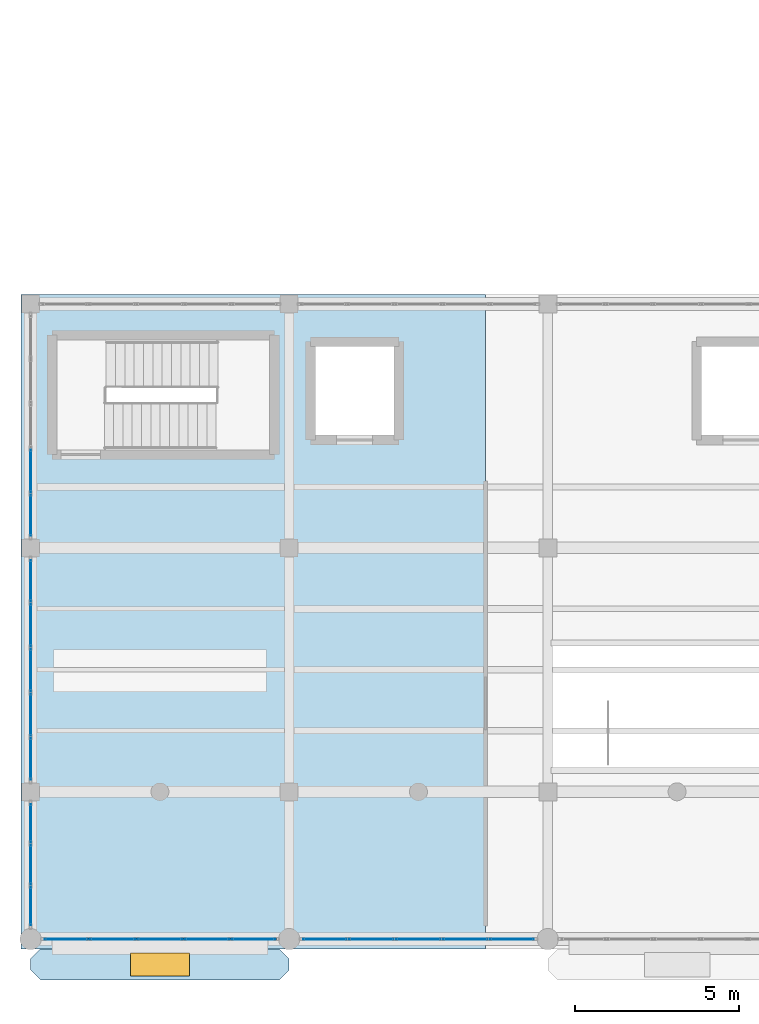
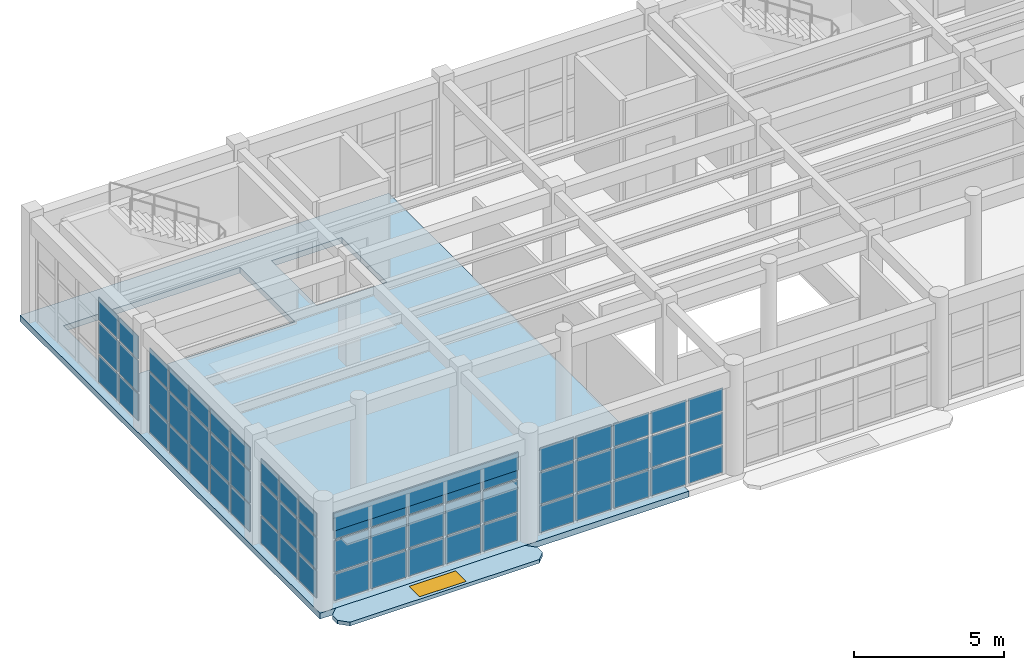
# One storey, part 49 of 85: 61 plates, 2 slabs, 1 window, 1 opening, 5 elements without a shape of their own.
"""IFC4 building model written with IfcOpenShell, lengths in metres."""

from ifc_helpers import new_model, si_unit, direction, frame, origin, origin_2d, place, context, subcontext, project, spatial, polyline, rectangle, outline, extrude, material, layer, layer_set, type_object, element, fill, aggregate, save


model = new_model("IFC4")

# Units and contexts
model_context = context("Model", 3, precision=1e-05, world=origin(), true_north=direction((0.0, 1.0)))
body_context = subcontext(model_context, "Body", "Model", "MODEL_VIEW")
ifc_project = project(units=[si_unit("LENGTHUNIT", "METRE"), si_unit("AREAUNIT", "SQUARE_METRE"), si_unit("VOLUMEUNIT", "CUBIC_METRE"), si_unit("PLANEANGLEUNIT", "RADIAN"), si_unit("MASSUNIT", "GRAM", prefix="KILO")], contexts=[model_context])

# Site, building, storey
site_placement = place(None, origin())
site = spatial("IfcSite", under=ifc_project, at=site_placement, CompositionType="ELEMENT")
building_placement = place(site_placement, origin())
building = spatial("IfcBuilding", under=site, at=building_placement, Name="Candilejo Ridge Gondola Terminal", CompositionType="ELEMENT")
storey_placement = place(building_placement, frame((0.0, 0.0, 4.5)))
storey = spatial("IfcBuildingStorey", under=building, at=storey_placement, Name="L01", CompositionType="ELEMENT", Elevation=4.5)

# Curtain wall, plates
ifc_material_1 = material(Name="Anodised aluminium AA 6063-T6", Category="aluminium")
ifc_layer_1 = layer(ifc_material_1, 0.169921875)
ifc_layer_set_1 = layer_set([ifc_layer_1], Name="ARC-CW-CONCOURSE-3600-720X359")
curtain_wall_type_1 = type_object("IfcCurtainWallType", Name="ARC-CW-CONCOURSE-3600-720X359", PredefinedType="NOTDEFINED", material=ifc_layer_set_1)
curtain_wall_1_placement = place(storey_placement, origin())
curtain_wall_1 = element("IfcCurtainWall", 1, at=curtain_wall_1_placement, inside=storey, type_object=curtain_wall_type_1, Name="Curtain wall V1 L01-001", PredefinedType="NOTDEFINED")
ifc_material_2 = material(Name="Low-E laminated double glazing 6+12A+6+1.52PVB+6 mm", Category="glass")
ifc_layer_2 = layer(ifc_material_2, 0.028076171875)
ifc_layer_set_2 = layer_set([ifc_layer_2], Name="ARC-CW-GLAZ-PANEL")
plate_type_1 = type_object("IfcPlateType", Name="ARC-CW-GLAZ-PANEL", PredefinedType="CURTAIN_PANEL", material=ifc_layer_set_2)
plate_1_placement = place(storey_placement, frame((5.388671875, 6.300048828125, 0.074951171875), z_axis=(0.0, 0.0, 1.0), x_axis=(1.0, 0.0, 0.0)))
plate_1 = element("IfcPlate", 2, at=plate_1_placement, type_object=plate_type_1, Name="CW-72X35 panel 1.1", PredefinedType="CURTAIN_PANEL", context=body_context, shape_type="SweptSolid", body=[
    extrude(rectangle(XDim=1.327392578125, YDim=0.028076171875, at=origin_2d()), origin(), (0.0, 0.0, 1.0), 1.08740234375),
])
plate_2_placement = place(storey_placement, frame((5.388671875, 6.300048828125, 1.237548828125), z_axis=(0.0, 0.0, 1.0), x_axis=(1.0, 0.0, 0.0)))
plate_2 = element("IfcPlate", 3, at=plate_2_placement, type_object=plate_type_1, Name="CW-72X35 panel 1.2", PredefinedType="CURTAIN_PANEL", context=body_context, shape_type="SweptSolid", body=[
    extrude(rectangle(XDim=1.327392578125, YDim=0.028076171875, at=origin_2d()), origin(), (0.0, 0.0, 1.0), 1.27490234375),
])
plate_3_placement = place(storey_placement, frame((5.388671875, 6.300048828125, 2.58740234375), z_axis=(0.0, 0.0, 1.0), x_axis=(1.0, 0.0, 0.0)))
plate_3 = element("IfcPlate", 4, at=plate_3_placement, type_object=plate_type_1, Name="CW-72X35 panel 1.3", PredefinedType="CURTAIN_PANEL", context=body_context, shape_type="SweptSolid", body=[
    extrude(rectangle(XDim=1.327392578125, YDim=0.028076171875, at=origin_2d()), origin(), (0.0, 0.0, 1.0), 0.927490234375),
])
plate_4_placement = place(storey_placement, frame((6.81005859375, 6.300048828125, 0.074951171875), z_axis=(0.0, 0.0, 1.0), x_axis=(1.0, 0.0, 0.0)))
plate_4 = element("IfcPlate", 5, at=plate_4_placement, type_object=plate_type_1, Name="CW-72X35 panel 2.1", PredefinedType="CURTAIN_PANEL", context=body_context, shape_type="SweptSolid", body=[
    extrude(rectangle(XDim=1.364990234375, YDim=0.028076171875, at=origin_2d()), origin(), (0.0, 0.0, 1.0), 1.08740234375),
])
plate_5_placement = place(storey_placement, frame((6.81005859375, 6.300048828125, 1.237548828125), z_axis=(0.0, 0.0, 1.0), x_axis=(1.0, 0.0, 0.0)))
plate_5 = element("IfcPlate", 6, at=plate_5_placement, type_object=plate_type_1, Name="CW-72X35 panel 2.2", PredefinedType="CURTAIN_PANEL", context=body_context, shape_type="SweptSolid", body=[
    extrude(rectangle(XDim=1.364990234375, YDim=0.028076171875, at=origin_2d()), origin(), (0.0, 0.0, 1.0), 1.27490234375),
])
plate_6_placement = place(storey_placement, frame((6.81005859375, 6.300048828125, 2.58740234375), z_axis=(0.0, 0.0, 1.0), x_axis=(1.0, 0.0, 0.0)))
plate_6 = element("IfcPlate", 7, at=plate_6_placement, type_object=plate_type_1, Name="CW-72X35 panel 2.3", PredefinedType="CURTAIN_PANEL", context=body_context, shape_type="SweptSolid", body=[
    extrude(rectangle(XDim=1.364990234375, YDim=0.028076171875, at=origin_2d()), origin(), (0.0, 0.0, 1.0), 0.927490234375),
])
plate_7_placement = place(storey_placement, frame((8.25, 6.300048828125, 0.074951171875), z_axis=(0.0, 0.0, 1.0), x_axis=(1.0, 0.0, 0.0)))
plate_7 = element("IfcPlate", 8, at=plate_7_placement, type_object=plate_type_1, Name="CW-72X35 panel 3.1", PredefinedType="CURTAIN_PANEL", context=body_context, shape_type="SweptSolid", body=[
    extrude(rectangle(XDim=1.364990234375, YDim=0.028076171875, at=origin_2d()), origin(), (0.0, 0.0, 1.0), 1.08740234375),
])
plate_8_placement = place(storey_placement, frame((8.25, 6.300048828125, 1.237548828125), z_axis=(0.0, 0.0, 1.0), x_axis=(1.0, 0.0, 0.0)))
plate_8 = element("IfcPlate", 9, at=plate_8_placement, type_object=plate_type_1, Name="CW-72X35 panel 3.2", PredefinedType="CURTAIN_PANEL", context=body_context, shape_type="SweptSolid", body=[
    extrude(rectangle(XDim=1.364990234375, YDim=0.028076171875, at=origin_2d()), origin(), (0.0, 0.0, 1.0), 1.27490234375),
])
plate_9_placement = place(storey_placement, frame((8.25, 6.300048828125, 2.58740234375), z_axis=(0.0, 0.0, 1.0), x_axis=(1.0, 0.0, 0.0)))
plate_9 = element("IfcPlate", 10, at=plate_9_placement, type_object=plate_type_1, Name="CW-72X35 panel 3.3", PredefinedType="CURTAIN_PANEL", context=body_context, shape_type="SweptSolid", body=[
    extrude(rectangle(XDim=1.364990234375, YDim=0.028076171875, at=origin_2d()), origin(), (0.0, 0.0, 1.0), 0.927490234375),
])
plate_10_placement = place(storey_placement, frame((9.68994140625, 6.300048828125, 0.074951171875), z_axis=(0.0, 0.0, 1.0), x_axis=(1.0, 0.0, 0.0)))
plate_10 = element("IfcPlate", 11, at=plate_10_placement, type_object=plate_type_1, Name="CW-72X35 panel 4.1", PredefinedType="CURTAIN_PANEL", context=body_context, shape_type="SweptSolid", body=[
    extrude(rectangle(XDim=1.364990234375, YDim=0.028076171875, at=origin_2d()), origin(), (0.0, 0.0, 1.0), 1.08740234375),
])
plate_11_placement = place(storey_placement, frame((9.68994140625, 6.300048828125, 1.237548828125), z_axis=(0.0, 0.0, 1.0), x_axis=(1.0, 0.0, 0.0)))
plate_11 = element("IfcPlate", 12, at=plate_11_placement, type_object=plate_type_1, Name="CW-72X35 panel 4.2", PredefinedType="CURTAIN_PANEL", context=body_context, shape_type="SweptSolid", body=[
    extrude(rectangle(XDim=1.364990234375, YDim=0.028076171875, at=origin_2d()), origin(), (0.0, 0.0, 1.0), 1.27490234375),
])
plate_12_placement = place(storey_placement, frame((9.68994140625, 6.300048828125, 2.58740234375), z_axis=(0.0, 0.0, 1.0), x_axis=(1.0, 0.0, 0.0)))
plate_12 = element("IfcPlate", 13, at=plate_12_placement, type_object=plate_type_1, Name="CW-72X35 panel 4.3", PredefinedType="CURTAIN_PANEL", context=body_context, shape_type="SweptSolid", body=[
    extrude(rectangle(XDim=1.364990234375, YDim=0.028076171875, at=origin_2d()), origin(), (0.0, 0.0, 1.0), 0.927490234375),
])
plate_13_placement = place(storey_placement, frame((11.111328125, 6.300048828125, 0.074951171875), z_axis=(0.0, 0.0, 1.0), x_axis=(1.0, 0.0, 0.0)))
plate_13 = element("IfcPlate", 14, at=plate_13_placement, type_object=plate_type_1, Name="CW-72X35 panel 5.1", PredefinedType="CURTAIN_PANEL", context=body_context, shape_type="SweptSolid", body=[
    extrude(rectangle(XDim=1.327392578125, YDim=0.028076171875, at=origin_2d()), origin(), (0.0, 0.0, 1.0), 1.08740234375),
])
plate_14_placement = place(storey_placement, frame((11.111328125, 6.300048828125, 1.237548828125), z_axis=(0.0, 0.0, 1.0), x_axis=(1.0, 0.0, 0.0)))
plate_14 = element("IfcPlate", 15, at=plate_14_placement, type_object=plate_type_1, Name="CW-72X35 panel 5.2", PredefinedType="CURTAIN_PANEL", context=body_context, shape_type="SweptSolid", body=[
    extrude(rectangle(XDim=1.327392578125, YDim=0.028076171875, at=origin_2d()), origin(), (0.0, 0.0, 1.0), 1.27490234375),
])
plate_15_placement = place(storey_placement, frame((11.111328125, 6.300048828125, 2.58740234375), z_axis=(0.0, 0.0, 1.0), x_axis=(1.0, 0.0, 0.0)))
plate_15 = element("IfcPlate", 16, at=plate_15_placement, type_object=plate_type_1, Name="CW-72X35 panel 5.3", PredefinedType="CURTAIN_PANEL", context=body_context, shape_type="SweptSolid", body=[
    extrude(rectangle(XDim=1.327392578125, YDim=0.028076171875, at=origin_2d()), origin(), (0.0, 0.0, 1.0), 0.927490234375),
])
aggregate(curtain_wall_1, [plate_1, plate_2, plate_3, plate_4, plate_5, plate_6, plate_7, plate_8, plate_9, plate_10, plate_11, plate_12, plate_13, plate_14, plate_15])

curtain_wall_2_placement = place(storey_placement, origin())
curtain_wall_2 = element("IfcCurtainWall", 17, at=curtain_wall_2_placement, inside=storey, type_object=curtain_wall_type_1, Name="Curtain wall V1 L01-005", PredefinedType="NOTDEFINED")
plate_16_placement = place(storey_placement, frame((13.288818359375, 6.300048828125, 0.074951171875), z_axis=(0.0, 0.0, 1.0), x_axis=(1.0, 0.0, 0.0)))
plate_16 = element("IfcPlate", 18, at=plate_16_placement, type_object=plate_type_1, Name="CW-72X35 panel 1.1", PredefinedType="CURTAIN_PANEL", context=body_context, shape_type="SweptSolid", body=[
    extrude(rectangle(XDim=1.327392578125, YDim=0.028076171875, at=origin_2d()), origin(), (0.0, 0.0, 1.0), 1.08740234375),
])
plate_17_placement = place(storey_placement, frame((13.288818359375, 6.300048828125, 1.237548828125), z_axis=(0.0, 0.0, 1.0), x_axis=(1.0, 0.0, 0.0)))
plate_17 = element("IfcPlate", 19, at=plate_17_placement, type_object=plate_type_1, Name="CW-72X35 panel 1.2", PredefinedType="CURTAIN_PANEL", context=body_context, shape_type="SweptSolid", body=[
    extrude(rectangle(XDim=1.327392578125, YDim=0.028076171875, at=origin_2d()), origin(), (0.0, 0.0, 1.0), 1.27490234375),
])
plate_18_placement = place(storey_placement, frame((13.288818359375, 6.300048828125, 2.58740234375), z_axis=(0.0, 0.0, 1.0), x_axis=(1.0, 0.0, 0.0)))
plate_18 = element("IfcPlate", 20, at=plate_18_placement, type_object=plate_type_1, Name="CW-72X35 panel 1.3", PredefinedType="CURTAIN_PANEL", context=body_context, shape_type="SweptSolid", body=[
    extrude(rectangle(XDim=1.327392578125, YDim=0.028076171875, at=origin_2d()), origin(), (0.0, 0.0, 1.0), 0.927490234375),
])
plate_19_placement = place(storey_placement, frame((14.7099609375, 6.300048828125, 0.074951171875), z_axis=(0.0, 0.0, 1.0), x_axis=(1.0, 0.0, 0.0)))
plate_19 = element("IfcPlate", 21, at=plate_19_placement, type_object=plate_type_1, Name="CW-72X35 panel 2.1", PredefinedType="CURTAIN_PANEL", context=body_context, shape_type="SweptSolid", body=[
    extrude(rectangle(XDim=1.364990234375, YDim=0.028076171875, at=origin_2d()), origin(), (0.0, 0.0, 1.0), 1.08740234375),
])
plate_20_placement = place(storey_placement, frame((14.7099609375, 6.300048828125, 1.237548828125), z_axis=(0.0, 0.0, 1.0), x_axis=(1.0, 0.0, 0.0)))
plate_20 = element("IfcPlate", 22, at=plate_20_placement, type_object=plate_type_1, Name="CW-72X35 panel 2.2", PredefinedType="CURTAIN_PANEL", context=body_context, shape_type="SweptSolid", body=[
    extrude(rectangle(XDim=1.364990234375, YDim=0.028076171875, at=origin_2d()), origin(), (0.0, 0.0, 1.0), 1.27490234375),
])
plate_21_placement = place(storey_placement, frame((14.7099609375, 6.300048828125, 2.58740234375), z_axis=(0.0, 0.0, 1.0), x_axis=(1.0, 0.0, 0.0)))
plate_21 = element("IfcPlate", 23, at=plate_21_placement, type_object=plate_type_1, Name="CW-72X35 panel 2.3", PredefinedType="CURTAIN_PANEL", context=body_context, shape_type="SweptSolid", body=[
    extrude(rectangle(XDim=1.364990234375, YDim=0.028076171875, at=origin_2d()), origin(), (0.0, 0.0, 1.0), 0.927490234375),
])
plate_22_placement = place(storey_placement, frame((16.14990234375, 6.300048828125, 0.074951171875), z_axis=(0.0, 0.0, 1.0), x_axis=(1.0, 0.0, 0.0)))
plate_22 = element("IfcPlate", 24, at=plate_22_placement, type_object=plate_type_1, Name="CW-72X35 panel 3.1", PredefinedType="CURTAIN_PANEL", context=body_context, shape_type="SweptSolid", body=[
    extrude(rectangle(XDim=1.364990234375, YDim=0.028076171875, at=origin_2d()), origin(), (0.0, 0.0, 1.0), 1.08740234375),
])
plate_23_placement = place(storey_placement, frame((16.14990234375, 6.300048828125, 1.237548828125), z_axis=(0.0, 0.0, 1.0), x_axis=(1.0, 0.0, 0.0)))
plate_23 = element("IfcPlate", 25, at=plate_23_placement, type_object=plate_type_1, Name="CW-72X35 panel 3.2", PredefinedType="CURTAIN_PANEL", context=body_context, shape_type="SweptSolid", body=[
    extrude(rectangle(XDim=1.364990234375, YDim=0.028076171875, at=origin_2d()), origin(), (0.0, 0.0, 1.0), 1.27490234375),
])
plate_24_placement = place(storey_placement, frame((16.14990234375, 6.300048828125, 2.58740234375), z_axis=(0.0, 0.0, 1.0), x_axis=(1.0, 0.0, 0.0)))
plate_24 = element("IfcPlate", 26, at=plate_24_placement, type_object=plate_type_1, Name="CW-72X35 panel 3.3", PredefinedType="CURTAIN_PANEL", context=body_context, shape_type="SweptSolid", body=[
    extrude(rectangle(XDim=1.364990234375, YDim=0.028076171875, at=origin_2d()), origin(), (0.0, 0.0, 1.0), 0.927490234375),
])
plate_25_placement = place(storey_placement, frame((17.590087890625, 6.300048828125, 0.074951171875), z_axis=(0.0, 0.0, 1.0), x_axis=(1.0, 0.0, 0.0)))
plate_25 = element("IfcPlate", 27, at=plate_25_placement, type_object=plate_type_1, Name="CW-72X35 panel 4.1", PredefinedType="CURTAIN_PANEL", context=body_context, shape_type="SweptSolid", body=[
    extrude(rectangle(XDim=1.364990234375, YDim=0.028076171875, at=origin_2d()), origin(), (0.0, 0.0, 1.0), 1.08740234375),
])
plate_26_placement = place(storey_placement, frame((17.590087890625, 6.300048828125, 1.237548828125), z_axis=(0.0, 0.0, 1.0), x_axis=(1.0, 0.0, 0.0)))
plate_26 = element("IfcPlate", 28, at=plate_26_placement, type_object=plate_type_1, Name="CW-72X35 panel 4.2", PredefinedType="CURTAIN_PANEL", context=body_context, shape_type="SweptSolid", body=[
    extrude(rectangle(XDim=1.364990234375, YDim=0.028076171875, at=origin_2d()), origin(), (0.0, 0.0, 1.0), 1.27490234375),
])
plate_27_placement = place(storey_placement, frame((17.590087890625, 6.300048828125, 2.58740234375), z_axis=(0.0, 0.0, 1.0), x_axis=(1.0, 0.0, 0.0)))
plate_27 = element("IfcPlate", 29, at=plate_27_placement, type_object=plate_type_1, Name="CW-72X35 panel 4.3", PredefinedType="CURTAIN_PANEL", context=body_context, shape_type="SweptSolid", body=[
    extrude(rectangle(XDim=1.364990234375, YDim=0.028076171875, at=origin_2d()), origin(), (0.0, 0.0, 1.0), 0.927490234375),
])
plate_28_placement = place(storey_placement, frame((19.01123046875, 6.300048828125, 0.074951171875), z_axis=(0.0, 0.0, 1.0), x_axis=(1.0, 0.0, 0.0)))
plate_28 = element("IfcPlate", 30, at=plate_28_placement, type_object=plate_type_1, Name="CW-72X35 panel 5.1", PredefinedType="CURTAIN_PANEL", context=body_context, shape_type="SweptSolid", body=[
    extrude(rectangle(XDim=1.327392578125, YDim=0.028076171875, at=origin_2d()), origin(), (0.0, 0.0, 1.0), 1.08740234375),
])
plate_29_placement = place(storey_placement, frame((19.01123046875, 6.300048828125, 1.237548828125), z_axis=(0.0, 0.0, 1.0), x_axis=(1.0, 0.0, 0.0)))
plate_29 = element("IfcPlate", 31, at=plate_29_placement, type_object=plate_type_1, Name="CW-72X35 panel 5.2", PredefinedType="CURTAIN_PANEL", context=body_context, shape_type="SweptSolid", body=[
    extrude(rectangle(XDim=1.327392578125, YDim=0.028076171875, at=origin_2d()), origin(), (0.0, 0.0, 1.0), 1.27490234375),
])
plate_30_placement = place(storey_placement, frame((19.01123046875, 6.300048828125, 2.58740234375), z_axis=(0.0, 0.0, 1.0), x_axis=(1.0, 0.0, 0.0)))
plate_30 = element("IfcPlate", 32, at=plate_30_placement, type_object=plate_type_1, Name="CW-72X35 panel 5.3", PredefinedType="CURTAIN_PANEL", context=body_context, shape_type="SweptSolid", body=[
    extrude(rectangle(XDim=1.327392578125, YDim=0.028076171875, at=origin_2d()), origin(), (0.0, 0.0, 1.0), 0.927490234375),
])
aggregate(curtain_wall_2, [plate_16, plate_17, plate_18, plate_19, plate_20, plate_21, plate_22, plate_23, plate_24, plate_25, plate_26, plate_27, plate_28, plate_29, plate_30])

ifc_material_3 = material(Name="Anodised aluminium AA 6063-T6", Category="aluminium")
ifc_layer_3 = layer(ifc_material_3, 0.169921875)
ifc_layer_set_3 = layer_set([ifc_layer_3], Name="ARC-CW-CONCOURSE-3600-385X359")
curtain_wall_type_2 = type_object("IfcCurtainWallType", Name="ARC-CW-CONCOURSE-3600-385X359", PredefinedType="NOTDEFINED", material=ifc_layer_set_3)
curtain_wall_3_placement = place(storey_placement, origin())
curtain_wall_3 = element("IfcCurtainWall", 33, at=curtain_wall_3_placement, inside=storey, type_object=curtain_wall_type_2, Name="Curtain wall V1 L01-019", PredefinedType="NOTDEFINED")
plate_31_placement = place(storey_placement, frame((4.300048828125, 7.310302734375, 0.074951171875), z_axis=(0.0, 0.0, 1.0), x_axis=(0.0, 1.0, 0.0)))
plate_31 = element("IfcPlate", 34, at=plate_31_placement, type_object=plate_type_1, Name="CW-38X35 panel 1.1", PredefinedType="CURTAIN_PANEL", context=body_context, shape_type="SweptSolid", body=[
    extrude(rectangle(XDim=1.1708984375, YDim=0.028076171875, at=origin_2d()), origin(), (0.0, 0.0, 1.0), 1.08740234375),
])
plate_32_placement = place(storey_placement, frame((4.300048828125, 7.310302734375, 1.237548828125), z_axis=(0.0, 0.0, 1.0), x_axis=(0.0, 1.0, 0.0)))
plate_32 = element("IfcPlate", 35, at=plate_32_placement, type_object=plate_type_1, Name="CW-38X35 panel 1.2", PredefinedType="CURTAIN_PANEL", context=body_context, shape_type="SweptSolid", body=[
    extrude(rectangle(XDim=1.1708984375, YDim=0.028076171875, at=origin_2d()), origin(), (0.0, 0.0, 1.0), 1.27490234375),
])
plate_33_placement = place(storey_placement, frame((4.300048828125, 7.310302734375, 2.58740234375), z_axis=(0.0, 0.0, 1.0), x_axis=(0.0, 1.0, 0.0)))
plate_33 = element("IfcPlate", 36, at=plate_33_placement, type_object=plate_type_1, Name="CW-38X35 panel 1.3", PredefinedType="CURTAIN_PANEL", context=body_context, shape_type="SweptSolid", body=[
    extrude(rectangle(XDim=1.1708984375, YDim=0.028076171875, at=origin_2d()), origin(), (0.0, 0.0, 1.0), 0.927490234375),
])
plate_34_placement = place(storey_placement, frame((4.300048828125, 8.574951171875, 0.074951171875), z_axis=(0.0, 0.0, 1.0), x_axis=(0.0, 1.0, 0.0)))
plate_34 = element("IfcPlate", 37, at=plate_34_placement, type_object=plate_type_1, Name="CW-38X35 panel 2.1", PredefinedType="CURTAIN_PANEL", context=body_context, shape_type="SweptSolid", body=[
    extrude(rectangle(XDim=1.208251953125, YDim=0.028076171875, at=origin_2d()), origin(), (0.0, 0.0, 1.0), 1.08740234375),
])
plate_35_placement = place(storey_placement, frame((4.300048828125, 8.574951171875, 1.237548828125), z_axis=(0.0, 0.0, 1.0), x_axis=(0.0, 1.0, 0.0)))
plate_35 = element("IfcPlate", 38, at=plate_35_placement, type_object=plate_type_1, Name="CW-38X35 panel 2.2", PredefinedType="CURTAIN_PANEL", context=body_context, shape_type="SweptSolid", body=[
    extrude(rectangle(XDim=1.208251953125, YDim=0.028076171875, at=origin_2d()), origin(), (0.0, 0.0, 1.0), 1.27490234375),
])
plate_36_placement = place(storey_placement, frame((4.300048828125, 8.574951171875, 2.58740234375), z_axis=(0.0, 0.0, 1.0), x_axis=(0.0, 1.0, 0.0)))
plate_36 = element("IfcPlate", 39, at=plate_36_placement, type_object=plate_type_1, Name="CW-38X35 panel 2.3", PredefinedType="CURTAIN_PANEL", context=body_context, shape_type="SweptSolid", body=[
    extrude(rectangle(XDim=1.208251953125, YDim=0.028076171875, at=origin_2d()), origin(), (0.0, 0.0, 1.0), 0.927490234375),
])
plate_37_placement = place(storey_placement, frame((4.300048828125, 9.839599609375, 0.074951171875), z_axis=(0.0, 0.0, 1.0), x_axis=(0.0, 1.0, 0.0)))
plate_37 = element("IfcPlate", 40, at=plate_37_placement, type_object=plate_type_1, Name="CW-38X35 panel 3.1", PredefinedType="CURTAIN_PANEL", context=body_context, shape_type="SweptSolid", body=[
    extrude(rectangle(XDim=1.1708984375, YDim=0.028076171875, at=origin_2d()), origin(), (0.0, 0.0, 1.0), 1.08740234375),
])
plate_38_placement = place(storey_placement, frame((4.300048828125, 9.839599609375, 1.237548828125), z_axis=(0.0, 0.0, 1.0), x_axis=(0.0, 1.0, 0.0)))
plate_38 = element("IfcPlate", 41, at=plate_38_placement, type_object=plate_type_1, Name="CW-38X35 panel 3.2", PredefinedType="CURTAIN_PANEL", context=body_context, shape_type="SweptSolid", body=[
    extrude(rectangle(XDim=1.1708984375, YDim=0.028076171875, at=origin_2d()), origin(), (0.0, 0.0, 1.0), 1.27490234375),
])
plate_39_placement = place(storey_placement, frame((4.300048828125, 9.839599609375, 2.58740234375), z_axis=(0.0, 0.0, 1.0), x_axis=(0.0, 1.0, 0.0)))
plate_39 = element("IfcPlate", 42, at=plate_39_placement, type_object=plate_type_1, Name="CW-38X35 panel 3.3", PredefinedType="CURTAIN_PANEL", context=body_context, shape_type="SweptSolid", body=[
    extrude(rectangle(XDim=1.1708984375, YDim=0.028076171875, at=origin_2d()), origin(), (0.0, 0.0, 1.0), 0.927490234375),
])
aggregate(curtain_wall_3, [plate_31, plate_32, plate_33, plate_34, plate_35, plate_36, plate_37, plate_38, plate_39])

ifc_material_4 = material(Name="Anodised aluminium AA 6063-T6", Category="aluminium")
ifc_layer_4 = layer(ifc_material_4, 0.169921875)
ifc_layer_set_4 = layer_set([ifc_layer_4], Name="ARC-CW-CONCOURSE-3600-685X359")
curtain_wall_type_3 = type_object("IfcCurtainWallType", Name="ARC-CW-CONCOURSE-3600-685X359", PredefinedType="NOTDEFINED", material=ifc_layer_set_4)
curtain_wall_4_placement = place(storey_placement, origin())
curtain_wall_4 = element("IfcCurtainWall", 43, at=curtain_wall_4_placement, inside=storey, type_object=curtain_wall_type_3, Name="Curtain wall V1 L01-020", PredefinedType="NOTDEFINED")
plate_40_placement = place(storey_placement, frame((4.300048828125, 11.8037109375, 0.074951171875), z_axis=(0.0, 0.0, 1.0), x_axis=(0.0, 1.0, 0.0)))
plate_40 = element("IfcPlate", 44, at=plate_40_placement, type_object=plate_type_1, Name="CW-68X35 panel 1.1", PredefinedType="CURTAIN_PANEL", context=body_context, shape_type="SweptSolid", body=[
    extrude(rectangle(XDim=1.257568359375, YDim=0.028076171875, at=origin_2d()), origin(), (0.0, 0.0, 1.0), 1.08740234375),
])
plate_41_placement = place(storey_placement, frame((4.300048828125, 11.8037109375, 1.237548828125), z_axis=(0.0, 0.0, 1.0), x_axis=(0.0, 1.0, 0.0)))
plate_41 = element("IfcPlate", 45, at=plate_41_placement, type_object=plate_type_1, Name="CW-68X35 panel 1.2", PredefinedType="CURTAIN_PANEL", context=body_context, shape_type="SweptSolid", body=[
    extrude(rectangle(XDim=1.257568359375, YDim=0.028076171875, at=origin_2d()), origin(), (0.0, 0.0, 1.0), 1.27490234375),
])
plate_42_placement = place(storey_placement, frame((4.300048828125, 11.8037109375, 2.58740234375), z_axis=(0.0, 0.0, 1.0), x_axis=(0.0, 1.0, 0.0)))
plate_42 = element("IfcPlate", 46, at=plate_42_placement, type_object=plate_type_1, Name="CW-68X35 panel 1.3", PredefinedType="CURTAIN_PANEL", context=body_context, shape_type="SweptSolid", body=[
    extrude(rectangle(XDim=1.257568359375, YDim=0.028076171875, at=origin_2d()), origin(), (0.0, 0.0, 1.0), 0.927490234375),
])
plate_43_placement = place(storey_placement, frame((4.300048828125, 13.155029296875, 0.074951171875), z_axis=(0.0, 0.0, 1.0), x_axis=(0.0, 1.0, 0.0)))
plate_43 = element("IfcPlate", 47, at=plate_43_placement, type_object=plate_type_1, Name="CW-68X35 panel 2.1", PredefinedType="CURTAIN_PANEL", context=body_context, shape_type="SweptSolid", body=[
    extrude(rectangle(XDim=1.294921875, YDim=0.028076171875, at=origin_2d()), origin(), (0.0, 0.0, 1.0), 1.08740234375),
])
plate_44_placement = place(storey_placement, frame((4.300048828125, 13.155029296875, 1.237548828125), z_axis=(0.0, 0.0, 1.0), x_axis=(0.0, 1.0, 0.0)))
plate_44 = element("IfcPlate", 48, at=plate_44_placement, type_object=plate_type_1, Name="CW-68X35 panel 2.2", PredefinedType="CURTAIN_PANEL", context=body_context, shape_type="SweptSolid", body=[
    extrude(rectangle(XDim=1.294921875, YDim=0.028076171875, at=origin_2d()), origin(), (0.0, 0.0, 1.0), 1.27490234375),
])
plate_45_placement = place(storey_placement, frame((4.300048828125, 13.155029296875, 2.58740234375), z_axis=(0.0, 0.0, 1.0), x_axis=(0.0, 1.0, 0.0)))
plate_45 = element("IfcPlate", 49, at=plate_45_placement, type_object=plate_type_1, Name="CW-68X35 panel 2.3", PredefinedType="CURTAIN_PANEL", context=body_context, shape_type="SweptSolid", body=[
    extrude(rectangle(XDim=1.294921875, YDim=0.028076171875, at=origin_2d()), origin(), (0.0, 0.0, 1.0), 0.927490234375),
])
plate_46_placement = place(storey_placement, frame((4.300048828125, 14.52490234375, 0.074951171875), z_axis=(0.0, 0.0, 1.0), x_axis=(0.0, 1.0, 0.0)))
plate_46 = element("IfcPlate", 50, at=plate_46_placement, type_object=plate_type_1, Name="CW-68X35 panel 3.1", PredefinedType="CURTAIN_PANEL", context=body_context, shape_type="SweptSolid", body=[
    extrude(rectangle(XDim=1.294921875, YDim=0.028076171875, at=origin_2d()), origin(), (0.0, 0.0, 1.0), 1.08740234375),
])
plate_47_placement = place(storey_placement, frame((4.300048828125, 14.52490234375, 1.237548828125), z_axis=(0.0, 0.0, 1.0), x_axis=(0.0, 1.0, 0.0)))
plate_47 = element("IfcPlate", 51, at=plate_47_placement, type_object=plate_type_1, Name="CW-68X35 panel 3.2", PredefinedType="CURTAIN_PANEL", context=body_context, shape_type="SweptSolid", body=[
    extrude(rectangle(XDim=1.294921875, YDim=0.028076171875, at=origin_2d()), origin(), (0.0, 0.0, 1.0), 1.27490234375),
])
plate_48_placement = place(storey_placement, frame((4.300048828125, 14.52490234375, 2.58740234375), z_axis=(0.0, 0.0, 1.0), x_axis=(0.0, 1.0, 0.0)))
plate_48 = element("IfcPlate", 52, at=plate_48_placement, type_object=plate_type_1, Name="CW-68X35 panel 3.3", PredefinedType="CURTAIN_PANEL", context=body_context, shape_type="SweptSolid", body=[
    extrude(rectangle(XDim=1.294921875, YDim=0.028076171875, at=origin_2d()), origin(), (0.0, 0.0, 1.0), 0.927490234375),
])
plate_49_placement = place(storey_placement, frame((4.300048828125, 15.89501953125, 0.074951171875), z_axis=(0.0, 0.0, 1.0), x_axis=(0.0, 1.0, 0.0)))
plate_49 = element("IfcPlate", 53, at=plate_49_placement, type_object=plate_type_1, Name="CW-68X35 panel 4.1", PredefinedType="CURTAIN_PANEL", context=body_context, shape_type="SweptSolid", body=[
    extrude(rectangle(XDim=1.294921875, YDim=0.028076171875, at=origin_2d()), origin(), (0.0, 0.0, 1.0), 1.08740234375),
])
plate_50_placement = place(storey_placement, frame((4.300048828125, 15.89501953125, 1.237548828125), z_axis=(0.0, 0.0, 1.0), x_axis=(0.0, 1.0, 0.0)))
plate_50 = element("IfcPlate", 54, at=plate_50_placement, type_object=plate_type_1, Name="CW-68X35 panel 4.2", PredefinedType="CURTAIN_PANEL", context=body_context, shape_type="SweptSolid", body=[
    extrude(rectangle(XDim=1.294921875, YDim=0.028076171875, at=origin_2d()), origin(), (0.0, 0.0, 1.0), 1.27490234375),
])
plate_51_placement = place(storey_placement, frame((4.300048828125, 15.89501953125, 2.58740234375), z_axis=(0.0, 0.0, 1.0), x_axis=(0.0, 1.0, 0.0)))
plate_51 = element("IfcPlate", 55, at=plate_51_placement, type_object=plate_type_1, Name="CW-68X35 panel 4.3", PredefinedType="CURTAIN_PANEL", context=body_context, shape_type="SweptSolid", body=[
    extrude(rectangle(XDim=1.294921875, YDim=0.028076171875, at=origin_2d()), origin(), (0.0, 0.0, 1.0), 0.927490234375),
])
plate_52_placement = place(storey_placement, frame((4.300048828125, 17.246337890625, 0.074951171875), z_axis=(0.0, 0.0, 1.0), x_axis=(0.0, 1.0, 0.0)))
plate_52 = element("IfcPlate", 56, at=plate_52_placement, type_object=plate_type_1, Name="CW-68X35 panel 5.1", PredefinedType="CURTAIN_PANEL", context=body_context, shape_type="SweptSolid", body=[
    extrude(rectangle(XDim=1.257568359375, YDim=0.028076171875, at=origin_2d()), origin(), (0.0, 0.0, 1.0), 1.08740234375),
])
plate_53_placement = place(storey_placement, frame((4.300048828125, 17.246337890625, 1.237548828125), z_axis=(0.0, 0.0, 1.0), x_axis=(0.0, 1.0, 0.0)))
plate_53 = element("IfcPlate", 57, at=plate_53_placement, type_object=plate_type_1, Name="CW-68X35 panel 5.2", PredefinedType="CURTAIN_PANEL", context=body_context, shape_type="SweptSolid", body=[
    extrude(rectangle(XDim=1.257568359375, YDim=0.028076171875, at=origin_2d()), origin(), (0.0, 0.0, 1.0), 1.27490234375),
])
plate_54_placement = place(storey_placement, frame((4.300048828125, 17.246337890625, 2.58740234375), z_axis=(0.0, 0.0, 1.0), x_axis=(0.0, 1.0, 0.0)))
plate_54 = element("IfcPlate", 58, at=plate_54_placement, type_object=plate_type_1, Name="CW-68X35 panel 5.3", PredefinedType="CURTAIN_PANEL", context=body_context, shape_type="SweptSolid", body=[
    extrude(rectangle(XDim=1.257568359375, YDim=0.028076171875, at=origin_2d()), origin(), (0.0, 0.0, 1.0), 0.927490234375),
])
aggregate(curtain_wall_4, [plate_40, plate_41, plate_42, plate_43, plate_44, plate_45, plate_46, plate_47, plate_48, plate_49, plate_50, plate_51, plate_52, plate_53, plate_54])

curtain_wall_5_placement = place(storey_placement, origin())
curtain_wall_5 = element("IfcCurtainWall", 59, at=curtain_wall_5_placement, inside=storey, type_object=curtain_wall_type_3, Name="Curtain wall V1 L01-021", PredefinedType="NOTDEFINED")
plate_55_placement = place(storey_placement, frame((4.300048828125, 19.253662109375, 0.074951171875), z_axis=(0.0, 0.0, 1.0), x_axis=(0.0, 1.0, 0.0)))
plate_55 = element("IfcPlate", 60, at=plate_55_placement, type_object=plate_type_1, Name="CW-68X35 panel 1.1", PredefinedType="CURTAIN_PANEL", context=body_context, shape_type="SweptSolid", body=[
    extrude(rectangle(XDim=1.257568359375, YDim=0.028076171875, at=origin_2d()), origin(), (0.0, 0.0, 1.0), 1.08740234375),
])
plate_56_placement = place(storey_placement, frame((4.300048828125, 19.253662109375, 1.237548828125), z_axis=(0.0, 0.0, 1.0), x_axis=(0.0, 1.0, 0.0)))
plate_56 = element("IfcPlate", 61, at=plate_56_placement, type_object=plate_type_1, Name="CW-68X35 panel 1.2", PredefinedType="CURTAIN_PANEL", context=body_context, shape_type="SweptSolid", body=[
    extrude(rectangle(XDim=1.257568359375, YDim=0.028076171875, at=origin_2d()), origin(), (0.0, 0.0, 1.0), 1.27490234375),
])
plate_57_placement = place(storey_placement, frame((4.300048828125, 19.253662109375, 2.58740234375), z_axis=(0.0, 0.0, 1.0), x_axis=(0.0, 1.0, 0.0)))
plate_57 = element("IfcPlate", 62, at=plate_57_placement, type_object=plate_type_1, Name="CW-68X35 panel 1.3", PredefinedType="CURTAIN_PANEL", context=body_context, shape_type="SweptSolid", body=[
    extrude(rectangle(XDim=1.257568359375, YDim=0.028076171875, at=origin_2d()), origin(), (0.0, 0.0, 1.0), 0.927490234375),
])
plate_58_placement = place(storey_placement, frame((4.300048828125, 20.60498046875, 0.074951171875), z_axis=(0.0, 0.0, 1.0), x_axis=(0.0, 1.0, 0.0)))
plate_58 = element("IfcPlate", 63, at=plate_58_placement, type_object=plate_type_1, Name="CW-68X35 panel 2.1", PredefinedType="CURTAIN_PANEL", context=body_context, shape_type="SweptSolid", body=[
    extrude(rectangle(XDim=1.294921875, YDim=0.028076171875, at=origin_2d()), origin(), (0.0, 0.0, 1.0), 1.08740234375),
])
plate_59_placement = place(storey_placement, frame((4.300048828125, 20.60498046875, 1.237548828125), z_axis=(0.0, 0.0, 1.0), x_axis=(0.0, 1.0, 0.0)))
plate_59 = element("IfcPlate", 64, at=plate_59_placement, type_object=plate_type_1, Name="CW-68X35 panel 2.2", PredefinedType="CURTAIN_PANEL", context=body_context, shape_type="SweptSolid", body=[
    extrude(rectangle(XDim=1.294921875, YDim=0.028076171875, at=origin_2d()), origin(), (0.0, 0.0, 1.0), 1.27490234375),
])
plate_60_placement = place(storey_placement, frame((4.300048828125, 20.60498046875, 2.58740234375), z_axis=(0.0, 0.0, 1.0), x_axis=(0.0, 1.0, 0.0)))
plate_60 = element("IfcPlate", 65, at=plate_60_placement, type_object=plate_type_1, Name="CW-68X35 panel 2.3", PredefinedType="CURTAIN_PANEL", context=body_context, shape_type="SweptSolid", body=[
    extrude(rectangle(XDim=1.294921875, YDim=0.028076171875, at=origin_2d()), origin(), (0.0, 0.0, 1.0), 0.927490234375),
])
aggregate(curtain_wall_5, [plate_55, plate_56, plate_57, plate_58, plate_59, plate_60])

# Plate
ifc_material_5 = material(Name="Insulated aluminium spandrel panel 60 mm", Category="aluminium")
ifc_layer_5 = layer(ifc_material_5, 0.06005859375)
ifc_layer_set_5 = layer_set([ifc_layer_5], Name="ARC-SPANDREL-V1-L01")
plate_type_2 = type_object("IfcPlateType", Name="ARC-SPANDREL-V1-L01", PredefinedType="SHEET", material=ifc_layer_set_5)
plate_61_placement = place(storey_placement, frame((8.25, 6.300048828125, 2.93017578125), z_axis=(0.0, 0.0, 1.0), x_axis=(1.0, 0.0, 0.0)))
element("IfcPlate", 66, at=plate_61_placement, inside=storey, type_object=plate_type_2, Name="Spandrel band SP-11", PredefinedType="SHEET", context=body_context, shape_type="SweptSolid", body=[
    extrude(rectangle(XDim=7.10009765625, YDim=0.06005859375, at=origin_2d()), origin(), (0.0, 0.0, 1.0), 0.719970703125),
])

# Slab, opening, window
ifc_material_6 = material(Name="Concrete f'c 35 MPa (C35/45)", Category="concrete")
ifc_layer_6 = layer(ifc_material_6, 0.14990234375)
ifc_layer_set_6 = layer_set([ifc_layer_6], Name="STR-CANOPY-DECK-150")
slab_type_1 = type_object("IfcSlabType", Name="STR-CANOPY-DECK-150", PredefinedType="USERDEFINED", material=ifc_layer_set_6)
slab_1_placement = place(storey_placement, frame((0.0, 0.0, -0.14990234375)))
slab_1 = element("IfcSlab", 67, at=slab_1_placement, inside=storey, type_object=slab_type_1, Name="Slab CN-V1-W", ObjectType="CANOPY DECK", PredefinedType="USERDEFINED", context=body_context, shape_type="SweptSolid", body=[
    extrude(outline(polyline([(4.60400390625, 5.050048828125), (11.89599609375, 5.050048828125), (12.199951171875, 5.35400390625), (12.199951171875, 5.696044921875), (11.89599609375, 6.0), (4.60400390625, 6.0), (4.300048828125, 5.696044921875), (4.300048828125, 5.35400390625), (4.60400390625, 5.050048828125)])), origin(), (0.0, 0.0, 1.0), 0.14990234375),
])
opening_placement = place(slab_1_placement, frame((8.25, 5.52001953125, 0.0)))
opening = element("IfcOpeningElement", 68, at=opening_placement, cuts=slab_1, Name="Opening SK-01", PredefinedType="OPENING", context=body_context, shape_type="SweptSolid", body=[
    extrude(rectangle(XDim=1.800048828125, YDim=0.699951171875, at=origin_2d()), origin(), (0.0, 0.0, 1.0), 0.14990234375),
])
ifc_material_7 = material(Name="Laminated solar-control skylight double glazing", Category="glass")
window_type = type_object("IfcWindowType", Name="ARC-SKYLIGHT-1800", PartitioningType="SINGLE_PANEL", PredefinedType="SKYLIGHT", material=ifc_material_7)
window_placement = place(opening_placement, frame((0.0, 0.0, 0.099853515625)))
window = element("IfcWindow", 69, at=window_placement, inside=storey, type_object=window_type, Name="Canopy daylight skylight SKY-01", OverallHeight=0.699951171875, OverallWidth=1.800048828125, PartitioningType="SINGLE_PANEL", PredefinedType="SKYLIGHT", context=body_context, shape_type="SweptSolid", body=[
    extrude(rectangle(XDim=1.800048828125, YDim=0.699951171875, at=origin_2d()), origin(), (0.0, 0.0, 1.0), 0.050048828125),
])
fill(opening, window)

# Slab
ifc_material_8 = material(Name="Concrete f'c 35 MPa (C35/45)", Category="concrete")
ifc_layer_7 = layer(ifc_material_8, 0.239990234375)
ifc_layer_set_7 = layer_set([ifc_layer_7], Name="STR-FLOOR-SLAB-240")
slab_type_2 = type_object("IfcSlabType", Name="STR-FLOOR-SLAB-240", PredefinedType="FLOOR", material=ifc_layer_set_7)
slab_2_placement = place(storey_placement, frame((0.0, 0.0, -0.239990234375)))
element("IfcSlab", 70, at=slab_2_placement, inside=storey, type_object=slab_type_2, Name="Slab SLB-V1-L01-W", PredefinedType="FLOOR", context=body_context, shape_type="SweptSolid", body=[
    extrude(outline(polyline([(4.0, 6.0), (18.199951171875, 6.0), (18.199951171875, 26.0), (4.0, 26.0), (4.0, 6.0)]), holes=[polyline([(4.949951171875, 21.10009765625), (11.75, 21.10009765625), (11.75, 24.75), (4.949951171875, 24.75), (4.949951171875, 21.10009765625)]), polyline([(12.85009765625, 21.550048828125), (15.550048828125, 21.550048828125), (15.550048828125, 24.550048828125), (12.85009765625, 24.550048828125), (12.85009765625, 21.550048828125)])]), origin(), (0.0, 0.0, 1.0), 0.239990234375),
])

save(model, "model.ifc")
